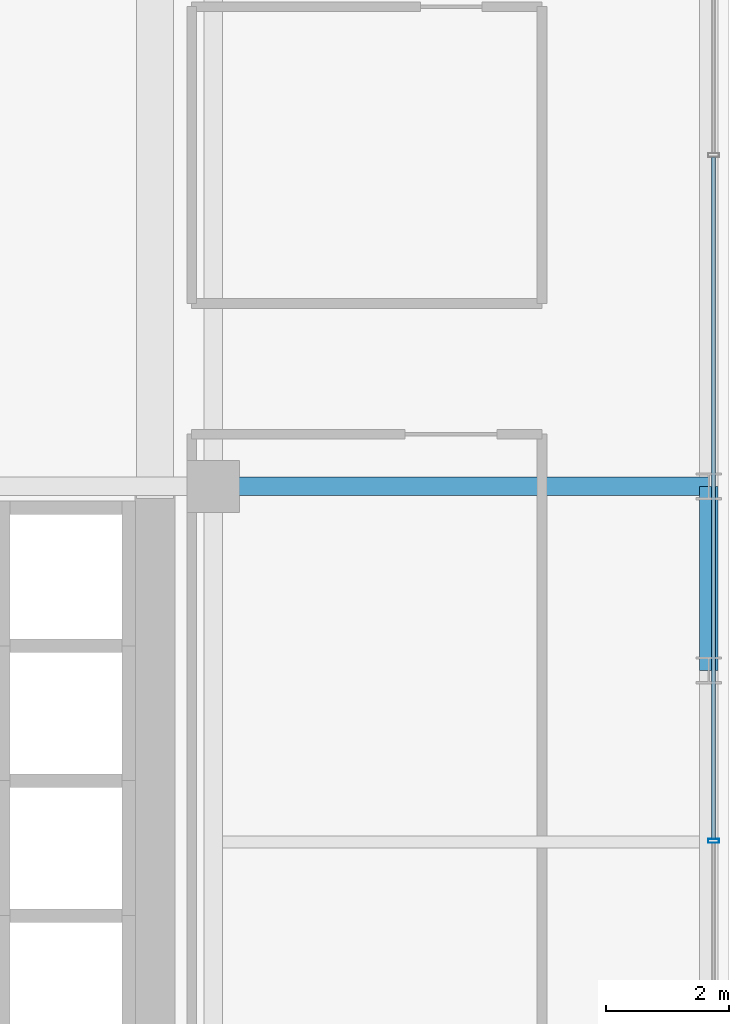
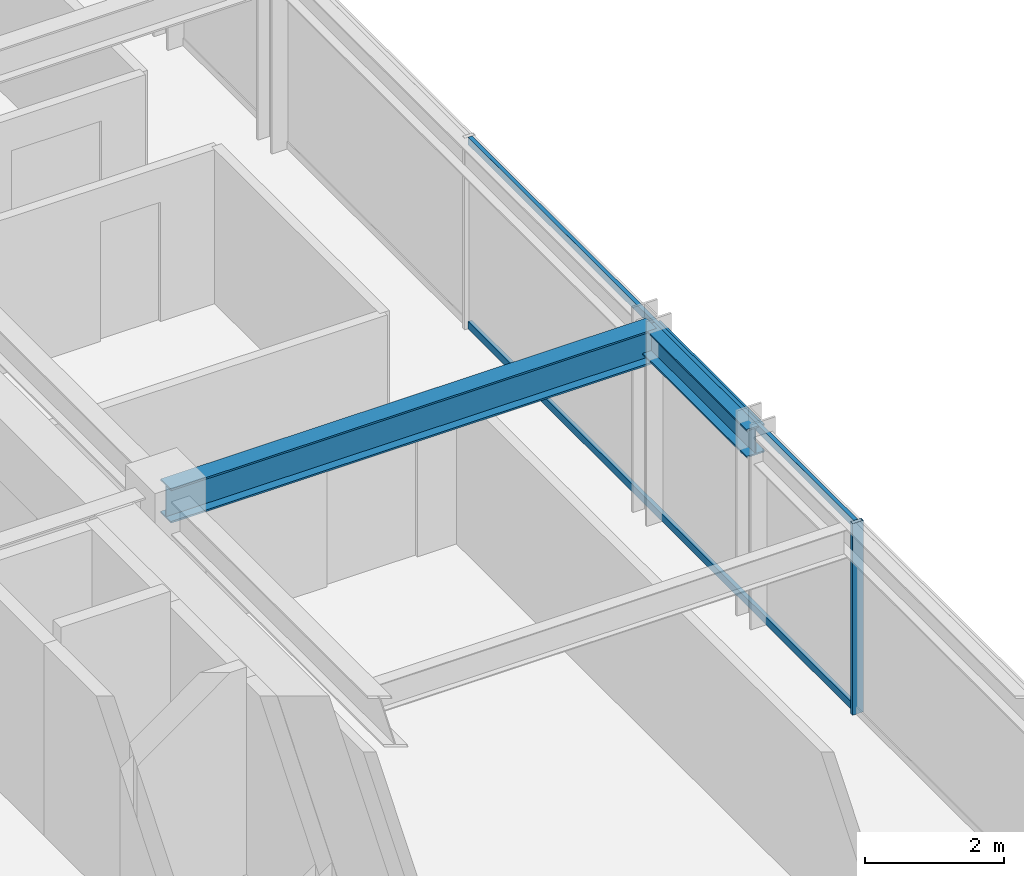
# One storey, part 16 of 37: 3 members, 2 beams, 1 element without a shape of its own.
"""IFC4 building model written with IfcOpenShell, lengths in metres."""

from ifc_helpers import new_model, si_unit, direction, frame, origin, origin_2d, place, context, subcontext, project, spatial, hollow_rectangle, i_section, extrude, source, transform, mapped, material, material_profile, profile_set, type_object, element, aggregate, save


model = new_model("IFC4")

# Units and contexts
model_context = context("Model", 3, precision=1e-05, world=origin(), true_north=direction((0.0, 1.0)))
body_context = subcontext(model_context, "Body", "Model", "MODEL_VIEW")
ifc_project = project(units=[si_unit("LENGTHUNIT", "METRE"), si_unit("AREAUNIT", "SQUARE_METRE"), si_unit("VOLUMEUNIT", "CUBIC_METRE"), si_unit("PLANEANGLEUNIT", "RADIAN"), si_unit("MASSUNIT", "GRAM", prefix="KILO")], contexts=[model_context])

# Site, building, storey
site_placement = place(None, origin())
site = spatial("IfcSite", under=ifc_project, at=site_placement, CompositionType="ELEMENT")
building_placement = place(site_placement, origin())
building = spatial("IfcBuilding", under=site, at=building_placement, Name="Nahalor Promenade Grand Hotel", CompositionType="ELEMENT")
storey_placement = place(building_placement, frame((0.0, 0.0, 36.050048828125)))
storey = spatial("IfcBuildingStorey", under=building, at=storey_placement, Name="L07", CompositionType="ELEMENT", Elevation=36.050048828125)

# Beams
ifc_material_1 = material(Name="Steel S355JR", Category="steel")
ifc_material_profile_1 = material_profile(ifc_material_1, i_section(OverallWidth=0.3, OverallDepth=0.5, WebThickness=0.0145, FlangeThickness=0.028, at=origin_2d()), Name="HEB 500")
ifc_profile_set_1 = profile_set([ifc_material_profile_1], Name="Steel S355JR")
beam_type_1 = type_object("IfcBeamType", Name="Beam-Spandrel-HEB500", PredefinedType="SPANDREL", material=ifc_profile_set_1)
shared_shape_1 = source(origin(), body_context, "Body", "SweptSolid", [
    extrude(i_section(OverallWidth=0.3, OverallDepth=0.5, WebThickness=0.0145, FlangeThickness=0.028, at=origin_2d()), origin(), (0.0, 0.0, 1.0), 3.0),
])
beam_1_placement = place(storey_placement, frame((25.080078125, -8.39990234375, 3.119873046875), z_axis=(0.0, 1.0, 0.0), x_axis=(-1.0, 0.0, 0.0)))
element("IfcBeam", 1, at=beam_1_placement, inside=storey, type_object=beam_type_1, Name="BM-L07-SP-E-1", PredefinedType="SPANDREL", context=body_context, shape_type="MappedRepresentation", body=[
    mapped(shared_shape_1, transform((0.0, 0.0, 0.0), scale=1.0)),
])
ifc_material_profile_2 = material_profile(ifc_material_1, i_section(OverallWidth=0.3, OverallDepth=0.6, WebThickness=0.0155, FlangeThickness=0.03, at=origin_2d()), Name="HEB 600")
ifc_profile_set_2 = profile_set([ifc_material_profile_2], Name="Steel S355JR")
beam_type_2 = type_object("IfcBeamType", Name="Beam-Girder-HEB600", PredefinedType="BEAM", material=ifc_profile_set_2)
shared_shape_2 = source(origin(), body_context, "Body", "SweptSolid", [
    extrude(i_section(OverallWidth=0.3, OverallDepth=0.6, WebThickness=0.0155, FlangeThickness=0.03, at=origin_2d()), origin(), (0.0, 0.0, 1.0), 8.080078125),
])
beam_2_placement = place(storey_placement, frame((17.0, -5.39990234375, 3.070068359375), z_axis=(1.0, 0.0, 0.0), x_axis=(0.0, 1.0, 0.0)))
element("IfcBeam", 2, at=beam_2_placement, inside=storey, type_object=beam_type_2, Name="BM-L07-GX-1-6", PredefinedType="BEAM", context=body_context, shape_type="MappedRepresentation", body=[
    mapped(shared_shape_2, transform((0.0, 0.0, 0.0), scale=1.0)),
])

# Curtain wall, members
ifc_material_2 = material(Name="Anodised Bronze Aluminium EN AW-6063 T6", Category="aluminium")
curtain_wall_type = type_object("IfcCurtainWallType", Name="CW2 Typical Hotel Flush Bronze Unitised Curtain Wall", PredefinedType="USERDEFINED", material=ifc_material_2)
curtain_wall_placement = place(storey_placement, origin())
curtain_wall = element("IfcCurtainWall", 3, at=curtain_wall_placement, inside=storey, type_object=curtain_wall_type, Name="L07 Curtain Wall CW-L07-E-1", ObjectType="UNITISED_CURTAIN_WALL", PredefinedType="USERDEFINED")
ifc_material_profile_3 = material_profile(ifc_material_2, hollow_rectangle(XDim=0.065, YDim=0.13, WallThickness=0.004, at=origin_2d()), Name="CWT 65x130x4")
ifc_profile_set_3 = profile_set([ifc_material_profile_3], Name="Anodised Bronze Aluminium EN AW-6063 T6")
member_type_1 = type_object("IfcMemberType", Name="CWT2 Typical Bronze Transom 65x130", PredefinedType="USERDEFINED", material=ifc_profile_set_3)
shared_shape_3 = source(origin(), body_context, "Body", "SweptSolid", [
    extrude(hollow_rectangle(XDim=0.065, YDim=0.13, WallThickness=0.004, at=origin_2d()), origin(), (0.0, 0.0, 1.0), 11.114990234375),
])
member_1_placement = place(storey_placement, frame((25.159912109375, -11.1474609375, 0.06494140625), z_axis=(0.0, 1.0, 0.0), x_axis=(-1.0, 0.0, 0.0)))
member_1 = element("IfcMember", 4, at=member_1_placement, type_object=member_type_1, Name="CW-L07-E-1 Transom 1-0", ObjectType="TRANSOM", PredefinedType="USERDEFINED", context=body_context, shape_type="MappedRepresentation", body=[
    mapped(shared_shape_3, transform((0.0, 0.0, 0.0), scale=1.0)),
])
member_2_placement = place(storey_placement, frame((25.159912109375, -11.1474609375, 3.304931640625), z_axis=(0.0, 1.0, 0.0), x_axis=(-1.0, 0.0, 0.0)))
member_2 = element("IfcMember", 5, at=member_2_placement, type_object=member_type_1, Name="CW-L07-E-1 Transom 1-1", ObjectType="TRANSOM", PredefinedType="USERDEFINED", context=body_context, shape_type="MappedRepresentation", body=[
    mapped(shared_shape_3, transform((0.0, 0.0, 0.0), scale=1.0)),
])
ifc_material_profile_4 = material_profile(ifc_material_2, hollow_rectangle(XDim=0.065, YDim=0.18, WallThickness=0.004, at=origin_2d()), Name="CWM 65x180x4")
ifc_profile_set_4 = profile_set([ifc_material_profile_4], Name="Anodised Bronze Aluminium EN AW-6063 T6")
member_type_2 = type_object("IfcMemberType", Name="CWM2 Typical Bronze Mullion 65x180", PredefinedType="MULLION", material=ifc_profile_set_4)
shared_shape_4 = source(origin(), body_context, "Body", "SweptSolid", [
    extrude(hollow_rectangle(XDim=0.065, YDim=0.18, WallThickness=0.004, at=origin_2d()), origin(), (0.0, 0.0, 1.0), 3.369873046875),
])
member_3_placement = place(storey_placement, frame((25.159912109375, -11.179931640625, 0.0), z_axis=(0.0, 0.0, 1.0), x_axis=(0.0, 1.0, 0.0)))
member_3 = element("IfcMember", 6, at=member_3_placement, type_object=member_type_2, Name="CW-L07-E-1 Mullion 1", PredefinedType="MULLION", context=body_context, shape_type="MappedRepresentation", body=[
    mapped(shared_shape_4, transform((0.0, 0.0, 0.0), scale=1.0)),
])
aggregate(curtain_wall, [member_3, member_1, member_2])

save(model, "model.ifc")
